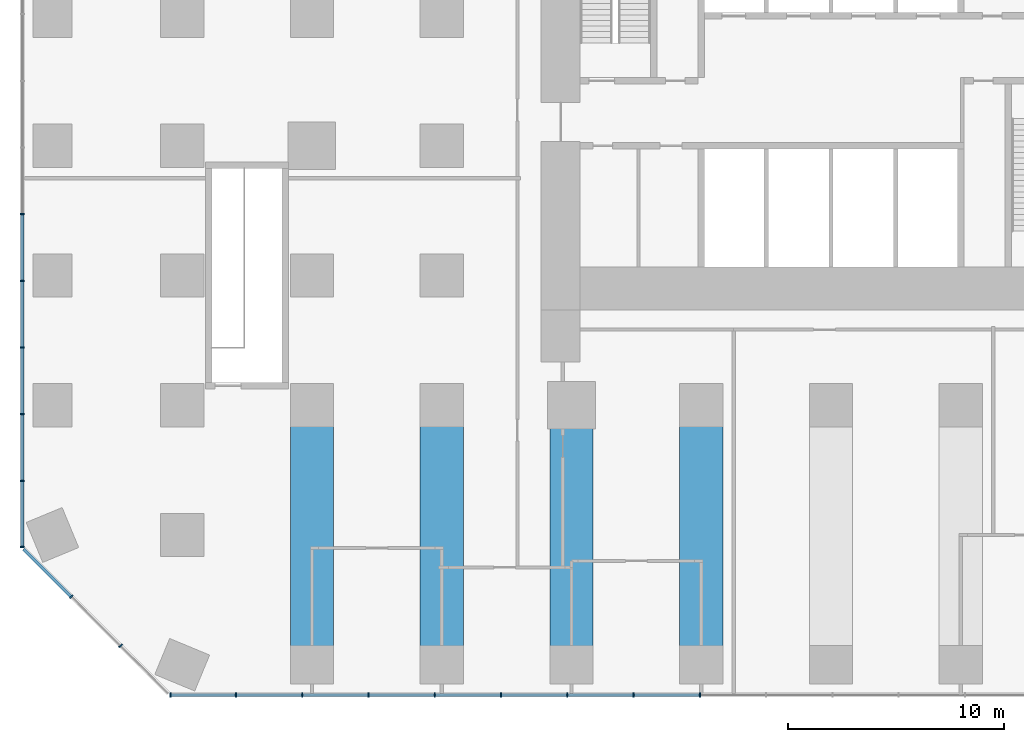
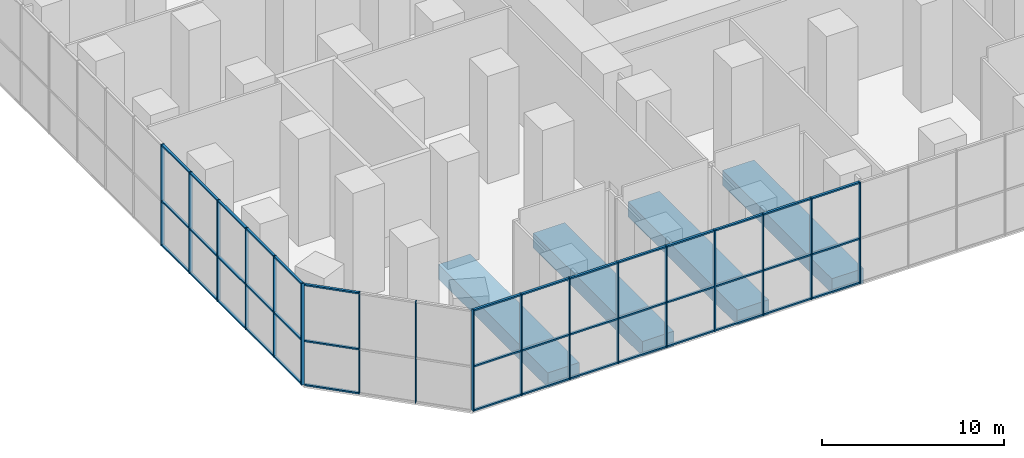
# One storey, part 2 of 16: 59 members, 4 beams, 3 elements without a shape of their own.
"""IFC4 building model written with IfcOpenShell, lengths in metres."""

from ifc_helpers import new_model, si_unit, direction, frame, origin, origin_2d, place, context, subcontext, project, spatial, rectangle, extrude, material, layer, layer_set, material_profile, profile_set, type_object, element, aggregate, save


model = new_model("IFC4")

# Units and contexts
model_context = context("Model", 3, precision=1e-05, world=origin(), true_north=direction((0.0, 1.0)))
body_context = subcontext(model_context, "Body", "Model", "MODEL_VIEW")
ifc_project = project(units=[si_unit("LENGTHUNIT", "METRE"), si_unit("AREAUNIT", "SQUARE_METRE"), si_unit("VOLUMEUNIT", "CUBIC_METRE"), si_unit("PLANEANGLEUNIT", "RADIAN"), si_unit("MASSUNIT", "GRAM", prefix="KILO")], contexts=[model_context])

# Site, building, storey
site_placement = place(None, origin())
site = spatial("IfcSite", under=ifc_project, at=site_placement, CompositionType="ELEMENT")
building_placement = place(site_placement, origin())
building = spatial("IfcBuilding", under=site, at=building_placement, Name="Highveld Stack Headquarters", CompositionType="ELEMENT")
storey_placement = place(building_placement, frame((0.0, 0.0, 11.0)))
storey = spatial("IfcBuildingStorey", under=building, at=storey_placement, Name="L02", CompositionType="ELEMENT", Elevation=11.0)

# Beams
ifc_material_1 = material(Name="Concrete C60/75", Category="concrete")
ifc_material_profile_1 = material_profile(ifc_material_1, rectangle(XDim=2.0, YDim=1.0, at=origin_2d()), Name="RC 2000x1000")
ifc_profile_set_1 = profile_set([ifc_material_profile_1], Name="Concrete C60/75")
beam_type = type_object("IfcBeamType", Name="BAND BEAM RC 2000x1000 C60/75", PredefinedType="BEAM", material=ifc_profile_set_1)
for number, where, z_axis, x_axis, name in (
    (1, (-18.0, -24.0, -0.75), (0.0, 1.0, 0.0), (-1.0, 0.0, 0.0), "Band beam 3/A-3/C L02"),
    (2, (-12.0, -24.0, -0.75), (0.0, 1.0, 0.0), (-1.0, 0.0, 0.0), "Band beam 4/A-4/C L02"),
    (3, (-6.0, -24.0, -0.75), (0.0, 1.0, 0.0), (-1.0, 0.0, 0.0), "Band beam 5/A-5/C L02"),
    (4, (0.0, -24.0, -0.75), (0.0, 1.0, 0.0), (-1.0, 0.0, 0.0), "Band beam 6/A-6/C L02"),
):
    element("IfcBeam", number, at=place(storey_placement, frame(where, z_axis=z_axis, x_axis=x_axis)), inside=storey, type_object=beam_type, Name=name, PredefinedType="BEAM", context=body_context, shape_type="SweptSolid", body=[
        extrude(rectangle(XDim=2.0, YDim=1.0, at=origin_2d()), origin(), (0.0, 0.0, 1.0), 12.0),
    ])

# Curtain wall, members
ifc_material_2 = material(Name="Aluminium bronze anodised", Category="aluminium")
ifc_layer = layer(ifc_material_2, 0.199951171875)
ifc_layer_set = layer_set([ifc_layer], Name="Aluminium bronze anodised")
curtain_wall_type = type_object("IfcCurtainWallType", Name="CW3 PODIUM STICK CURTAIN WALL", PredefinedType="NOTDEFINED", material=ifc_layer_set)
curtain_wall_1_placement = place(storey_placement, origin())
curtain_wall_1 = element("IfcCurtainWall", 5, at=curtain_wall_1_placement, inside=storey, type_object=curtain_wall_type, Name="Curtain wall CW3 L02 S", PredefinedType="NOTDEFINED")
ifc_material_3 = material(Name="Aluminium bronze anodised", Category="aluminium")
ifc_material_profile_2 = material_profile(ifc_material_3, rectangle(XDim=0.199951171875, YDim=0.06494140625, at=origin_2d()), Name="CW3 MULLION 65x200")
ifc_profile_set_2 = profile_set([ifc_material_profile_2], Name="Aluminium bronze anodised")
member_type_1 = type_object("IfcMemberType", Name="CW3 MULLION 65x200", PredefinedType="MULLION", material=ifc_profile_set_2)
member_1_placement = place(storey_placement, frame((-24.54736328125, -25.39990234375, 0.0), z_axis=(0.0, 0.0, 1.0), x_axis=(0.0, 1.0, 0.0)))
member_1 = element("IfcMember", 6, at=member_1_placement, type_object=member_type_1, Name="CW3 mullion L02 1", PredefinedType="MULLION", context=body_context, shape_type="SweptSolid", body=[
    extrude(rectangle(XDim=0.199951171875, YDim=0.06494140625, at=origin_2d()), origin(), (0.0, 0.0, 1.0), 6.800048828125),
])
member_2_placement = place(storey_placement, frame((-21.515380859375, -25.39990234375, 0.0), z_axis=(0.0, 0.0, 1.0), x_axis=(0.0, 1.0, 0.0)))
member_2 = element("IfcMember", 7, at=member_2_placement, type_object=member_type_1, Name="CW3 mullion L02 2", PredefinedType="MULLION", context=body_context, shape_type="SweptSolid", body=[
    extrude(rectangle(XDim=0.199951171875, YDim=0.06494140625, at=origin_2d()), origin(), (0.0, 0.0, 1.0), 6.800048828125),
])
member_3_placement = place(storey_placement, frame((-18.450927734375, -25.39990234375, 0.0), z_axis=(0.0, 0.0, 1.0), x_axis=(0.0, 1.0, 0.0)))
member_3 = element("IfcMember", 8, at=member_3_placement, type_object=member_type_1, Name="CW3 mullion L02 3", PredefinedType="MULLION", context=body_context, shape_type="SweptSolid", body=[
    extrude(rectangle(XDim=0.199951171875, YDim=0.06494140625, at=origin_2d()), origin(), (0.0, 0.0, 1.0), 6.800048828125),
])
member_4_placement = place(storey_placement, frame((-15.38671875, -25.39990234375, 0.0), z_axis=(0.0, 0.0, 1.0), x_axis=(0.0, 1.0, 0.0)))
member_4 = element("IfcMember", 9, at=member_4_placement, type_object=member_type_1, Name="CW3 mullion L02 4", PredefinedType="MULLION", context=body_context, shape_type="SweptSolid", body=[
    extrude(rectangle(XDim=0.199951171875, YDim=0.06494140625, at=origin_2d()), origin(), (0.0, 0.0, 1.0), 6.800048828125),
])
member_5_placement = place(storey_placement, frame((-12.322265625, -25.39990234375, 0.0), z_axis=(0.0, 0.0, 1.0), x_axis=(0.0, 1.0, 0.0)))
member_5 = element("IfcMember", 10, at=member_5_placement, type_object=member_type_1, Name="CW3 mullion L02 5", PredefinedType="MULLION", context=body_context, shape_type="SweptSolid", body=[
    extrude(rectangle(XDim=0.199951171875, YDim=0.06494140625, at=origin_2d()), origin(), (0.0, 0.0, 1.0), 6.800048828125),
])
member_6_placement = place(storey_placement, frame((-9.2578125, -25.39990234375, 0.0), z_axis=(0.0, 0.0, 1.0), x_axis=(0.0, 1.0, 0.0)))
member_6 = element("IfcMember", 11, at=member_6_placement, type_object=member_type_1, Name="CW3 mullion L02 6", PredefinedType="MULLION", context=body_context, shape_type="SweptSolid", body=[
    extrude(rectangle(XDim=0.199951171875, YDim=0.06494140625, at=origin_2d()), origin(), (0.0, 0.0, 1.0), 6.800048828125),
])
member_7_placement = place(storey_placement, frame((-6.193359375, -25.39990234375, 0.0), z_axis=(0.0, 0.0, 1.0), x_axis=(0.0, 1.0, 0.0)))
member_7 = element("IfcMember", 12, at=member_7_placement, type_object=member_type_1, Name="CW3 mullion L02 7", PredefinedType="MULLION", context=body_context, shape_type="SweptSolid", body=[
    extrude(rectangle(XDim=0.199951171875, YDim=0.06494140625, at=origin_2d()), origin(), (0.0, 0.0, 1.0), 6.800048828125),
])
member_8_placement = place(storey_placement, frame((-3.12890625, -25.39990234375, 0.0), z_axis=(0.0, 0.0, 1.0), x_axis=(0.0, 1.0, 0.0)))
member_8 = element("IfcMember", 13, at=member_8_placement, type_object=member_type_1, Name="CW3 mullion L02 8", PredefinedType="MULLION", context=body_context, shape_type="SweptSolid", body=[
    extrude(rectangle(XDim=0.199951171875, YDim=0.06494140625, at=origin_2d()), origin(), (0.0, 0.0, 1.0), 6.800048828125),
])
member_9_placement = place(storey_placement, frame((-0.064453125, -25.39990234375, 0.0), z_axis=(0.0, 0.0, 1.0), x_axis=(0.0, 1.0, 0.0)))
member_9 = element("IfcMember", 14, at=member_9_placement, type_object=member_type_1, Name="CW3 mullion L02 9", PredefinedType="MULLION", context=body_context, shape_type="SweptSolid", body=[
    extrude(rectangle(XDim=0.199951171875, YDim=0.06494140625, at=origin_2d()), origin(), (0.0, 0.0, 1.0), 6.800048828125),
])

curtain_wall_2_placement = place(storey_placement, origin())
curtain_wall_2 = element("IfcCurtainWall", 15, at=curtain_wall_2_placement, inside=storey, type_object=curtain_wall_type, Name="Curtain wall CW3 L02 W", PredefinedType="NOTDEFINED")
member_10_placement = place(storey_placement, frame((-31.39990234375, -3.165771484375, 0.0), z_axis=(0.0, 0.0, 1.0), x_axis=(1.0, 0.0, 0.0)))
member_10 = element("IfcMember", 16, at=member_10_placement, type_object=member_type_1, Name="CW3 mullion L02 10", PredefinedType="MULLION", context=body_context, shape_type="SweptSolid", body=[
    extrude(rectangle(XDim=0.199951171875, YDim=0.06494140625, at=origin_2d()), origin(), (0.0, 0.0, 1.0), 6.800048828125),
])
member_11_placement = place(storey_placement, frame((-31.39990234375, -6.24853515625, 0.0), z_axis=(0.0, 0.0, 1.0), x_axis=(1.0, 0.0, 0.0)))
member_11 = element("IfcMember", 17, at=member_11_placement, type_object=member_type_1, Name="CW3 mullion L02 11", PredefinedType="MULLION", context=body_context, shape_type="SweptSolid", body=[
    extrude(rectangle(XDim=0.199951171875, YDim=0.06494140625, at=origin_2d()), origin(), (0.0, 0.0, 1.0), 6.800048828125),
])
member_12_placement = place(storey_placement, frame((-31.39990234375, -9.331298828125, 0.0), z_axis=(0.0, 0.0, 1.0), x_axis=(1.0, 0.0, 0.0)))
member_12 = element("IfcMember", 18, at=member_12_placement, type_object=member_type_1, Name="CW3 mullion L02 12", PredefinedType="MULLION", context=body_context, shape_type="SweptSolid", body=[
    extrude(rectangle(XDim=0.199951171875, YDim=0.06494140625, at=origin_2d()), origin(), (0.0, 0.0, 1.0), 6.800048828125),
])
member_13_placement = place(storey_placement, frame((-31.39990234375, -12.414306640625, 0.0), z_axis=(0.0, 0.0, 1.0), x_axis=(1.0, 0.0, 0.0)))
member_13 = element("IfcMember", 19, at=member_13_placement, type_object=member_type_1, Name="CW3 mullion L02 13", PredefinedType="MULLION", context=body_context, shape_type="SweptSolid", body=[
    extrude(rectangle(XDim=0.199951171875, YDim=0.06494140625, at=origin_2d()), origin(), (0.0, 0.0, 1.0), 6.800048828125),
])
member_14_placement = place(storey_placement, frame((-31.39990234375, -15.4970703125, 0.0), z_axis=(0.0, 0.0, 1.0), x_axis=(1.0, 0.0, 0.0)))
member_14 = element("IfcMember", 20, at=member_14_placement, type_object=member_type_1, Name="CW3 mullion L02 14", PredefinedType="MULLION", context=body_context, shape_type="SweptSolid", body=[
    extrude(rectangle(XDim=0.199951171875, YDim=0.06494140625, at=origin_2d()), origin(), (0.0, 0.0, 1.0), 6.800048828125),
])
member_15_placement = place(storey_placement, frame((-31.39990234375, -18.54736328125, 0.0), z_axis=(0.0, 0.0, 1.0), x_axis=(1.0, 0.0, 0.0)))
member_15 = element("IfcMember", 21, at=member_15_placement, type_object=member_type_1, Name="CW3 mullion L02 15", PredefinedType="MULLION", context=body_context, shape_type="SweptSolid", body=[
    extrude(rectangle(XDim=0.199951171875, YDim=0.06494140625, at=origin_2d()), origin(), (0.0, 0.0, 1.0), 6.800048828125),
])

curtain_wall_3_placement = place(storey_placement, origin())
curtain_wall_3 = element("IfcCurtainWall", 22, at=curtain_wall_3_placement, inside=storey, type_object=curtain_wall_type, Name="Curtain wall CW3 L02 SW", PredefinedType="NOTDEFINED")
member_16_placement = place(storey_placement, frame((-29.126708984375, -20.853271484375, 0.0), z_axis=(0.0, 0.0, 1.0), x_axis=(0.707106781187, 0.707106781187, 0.0)))
member_16 = element("IfcMember", 23, at=member_16_placement, type_object=member_type_1, Name="CW3 mullion L02 1", PredefinedType="MULLION", context=body_context, shape_type="SweptSolid", body=[
    extrude(rectangle(XDim=0.199951171875, YDim=0.06494140625, at=origin_2d()), origin(), (0.0, 0.0, 1.0), 6.800048828125),
])
member_17_placement = place(storey_placement, frame((-26.853271484375, -23.126708984375, 0.0), z_axis=(0.0, 0.0, 1.0), x_axis=(0.707106781187, 0.707106781187, 0.0)))
member_17 = element("IfcMember", 24, at=member_17_placement, type_object=member_type_1, Name="CW3 mullion L02 2", PredefinedType="MULLION", context=body_context, shape_type="SweptSolid", body=[
    extrude(rectangle(XDim=0.199951171875, YDim=0.06494140625, at=origin_2d()), origin(), (0.0, 0.0, 1.0), 6.800048828125),
])

# Member
ifc_material_4 = material(Name="Aluminium bronze anodised", Category="aluminium")
ifc_material_profile_3 = material_profile(ifc_material_4, rectangle(XDim=0.14990234375, YDim=0.10009765625, at=origin_2d()), Name="CW3 TRANSOM 150x100")
ifc_profile_set_3 = profile_set([ifc_material_profile_3], Name="Aluminium bronze anodised")
member_type_2 = type_object("IfcMemberType", Name="CW3 STACK TRANSOM 150x100", PredefinedType="USERDEFINED", material=ifc_profile_set_3)
member_18_placement = place(storey_placement, frame((-24.514892578125, -25.39990234375, 0.050048828125), z_axis=(1.0, 0.0, 0.0), x_axis=(0.0, 1.0, 0.0)))
member_18 = element("IfcMember", 25, at=member_18_placement, type_object=member_type_2, Name="CW3 transom L02 1.1", ObjectType="TRANSOM", PredefinedType="USERDEFINED", context=body_context, shape_type="SweptSolid", body=[
    extrude(rectangle(XDim=0.14990234375, YDim=0.10009765625, at=origin_2d()), origin(), (0.0, 0.0, 1.0), 2.966796875),
])

member_19_placement = place(storey_placement, frame((-24.514892578125, -25.39990234375, 3.0), z_axis=(1.0, 0.0, 0.0), x_axis=(0.0, 1.0, 0.0)))
member_19 = element("IfcMember", 26, at=member_19_placement, type_object=member_type_2, Name="CW3 transom L02 1.2", ObjectType="TRANSOM", PredefinedType="USERDEFINED", context=body_context, shape_type="SweptSolid", body=[
    extrude(rectangle(XDim=0.14990234375, YDim=0.10009765625, at=origin_2d()), origin(), (0.0, 0.0, 1.0), 2.966796875),
])

member_20_placement = place(storey_placement, frame((-24.514892578125, -25.39990234375, 6.75), z_axis=(1.0, 0.0, 0.0), x_axis=(0.0, 1.0, 0.0)))
member_20 = element("IfcMember", 27, at=member_20_placement, type_object=member_type_2, Name="CW3 transom L02 1.3", ObjectType="TRANSOM", PredefinedType="USERDEFINED", context=body_context, shape_type="SweptSolid", body=[
    extrude(rectangle(XDim=0.14990234375, YDim=0.10009765625, at=origin_2d()), origin(), (0.0, 0.0, 1.0), 2.966796875),
])

member_21_placement = place(storey_placement, frame((-21.48291015625, -25.39990234375, 0.050048828125), z_axis=(1.0, 0.0, 0.0), x_axis=(0.0, 1.0, 0.0)))
member_21 = element("IfcMember", 28, at=member_21_placement, type_object=member_type_2, Name="CW3 transom L02 2.1", ObjectType="TRANSOM", PredefinedType="USERDEFINED", context=body_context, shape_type="SweptSolid", body=[
    extrude(rectangle(XDim=0.14990234375, YDim=0.10009765625, at=origin_2d()), origin(), (0.0, 0.0, 1.0), 2.99951171875),
])

member_22_placement = place(storey_placement, frame((-21.48291015625, -25.39990234375, 3.0), z_axis=(1.0, 0.0, 0.0), x_axis=(0.0, 1.0, 0.0)))
member_22 = element("IfcMember", 29, at=member_22_placement, type_object=member_type_2, Name="CW3 transom L02 2.2", ObjectType="TRANSOM", PredefinedType="USERDEFINED", context=body_context, shape_type="SweptSolid", body=[
    extrude(rectangle(XDim=0.14990234375, YDim=0.10009765625, at=origin_2d()), origin(), (0.0, 0.0, 1.0), 2.99951171875),
])

member_23_placement = place(storey_placement, frame((-21.48291015625, -25.39990234375, 6.75), z_axis=(1.0, 0.0, 0.0), x_axis=(0.0, 1.0, 0.0)))
member_23 = element("IfcMember", 30, at=member_23_placement, type_object=member_type_2, Name="CW3 transom L02 2.3", ObjectType="TRANSOM", PredefinedType="USERDEFINED", context=body_context, shape_type="SweptSolid", body=[
    extrude(rectangle(XDim=0.14990234375, YDim=0.10009765625, at=origin_2d()), origin(), (0.0, 0.0, 1.0), 2.99951171875),
])

member_24_placement = place(storey_placement, frame((-18.41845703125, -25.39990234375, 0.050048828125), z_axis=(1.0, 0.0, 0.0), x_axis=(0.0, 1.0, 0.0)))
member_24 = element("IfcMember", 31, at=member_24_placement, type_object=member_type_2, Name="CW3 transom L02 3.1", ObjectType="TRANSOM", PredefinedType="USERDEFINED", context=body_context, shape_type="SweptSolid", body=[
    extrude(rectangle(XDim=0.14990234375, YDim=0.10009765625, at=origin_2d()), origin(), (0.0, 0.0, 1.0), 2.999267578125),
])

member_25_placement = place(storey_placement, frame((-18.41845703125, -25.39990234375, 3.0), z_axis=(1.0, 0.0, 0.0), x_axis=(0.0, 1.0, 0.0)))
member_25 = element("IfcMember", 32, at=member_25_placement, type_object=member_type_2, Name="CW3 transom L02 3.2", ObjectType="TRANSOM", PredefinedType="USERDEFINED", context=body_context, shape_type="SweptSolid", body=[
    extrude(rectangle(XDim=0.14990234375, YDim=0.10009765625, at=origin_2d()), origin(), (0.0, 0.0, 1.0), 2.999267578125),
])

member_26_placement = place(storey_placement, frame((-18.41845703125, -25.39990234375, 6.75), z_axis=(1.0, 0.0, 0.0), x_axis=(0.0, 1.0, 0.0)))
member_26 = element("IfcMember", 33, at=member_26_placement, type_object=member_type_2, Name="CW3 transom L02 3.3", ObjectType="TRANSOM", PredefinedType="USERDEFINED", context=body_context, shape_type="SweptSolid", body=[
    extrude(rectangle(XDim=0.14990234375, YDim=0.10009765625, at=origin_2d()), origin(), (0.0, 0.0, 1.0), 2.999267578125),
])

member_27_placement = place(storey_placement, frame((-15.35400390625, -25.39990234375, 0.050048828125), z_axis=(1.0, 0.0, 0.0), x_axis=(0.0, 1.0, 0.0)))
member_27 = element("IfcMember", 34, at=member_27_placement, type_object=member_type_2, Name="CW3 transom L02 4.1", ObjectType="TRANSOM", PredefinedType="USERDEFINED", context=body_context, shape_type="SweptSolid", body=[
    extrude(rectangle(XDim=0.14990234375, YDim=0.10009765625, at=origin_2d()), origin(), (0.0, 0.0, 1.0), 2.999267578125),
])

member_28_placement = place(storey_placement, frame((-15.35400390625, -25.39990234375, 3.0), z_axis=(1.0, 0.0, 0.0), x_axis=(0.0, 1.0, 0.0)))
member_28 = element("IfcMember", 35, at=member_28_placement, type_object=member_type_2, Name="CW3 transom L02 4.2", ObjectType="TRANSOM", PredefinedType="USERDEFINED", context=body_context, shape_type="SweptSolid", body=[
    extrude(rectangle(XDim=0.14990234375, YDim=0.10009765625, at=origin_2d()), origin(), (0.0, 0.0, 1.0), 2.999267578125),
])

member_29_placement = place(storey_placement, frame((-15.35400390625, -25.39990234375, 6.75), z_axis=(1.0, 0.0, 0.0), x_axis=(0.0, 1.0, 0.0)))
member_29 = element("IfcMember", 36, at=member_29_placement, type_object=member_type_2, Name="CW3 transom L02 4.3", ObjectType="TRANSOM", PredefinedType="USERDEFINED", context=body_context, shape_type="SweptSolid", body=[
    extrude(rectangle(XDim=0.14990234375, YDim=0.10009765625, at=origin_2d()), origin(), (0.0, 0.0, 1.0), 2.999267578125),
])

member_30_placement = place(storey_placement, frame((-12.289794921875, -25.39990234375, 0.050048828125), z_axis=(1.0, 0.0, 0.0), x_axis=(0.0, 1.0, 0.0)))
member_30 = element("IfcMember", 37, at=member_30_placement, type_object=member_type_2, Name="CW3 transom L02 5.1", ObjectType="TRANSOM", PredefinedType="USERDEFINED", context=body_context, shape_type="SweptSolid", body=[
    extrude(rectangle(XDim=0.14990234375, YDim=0.10009765625, at=origin_2d()), origin(), (0.0, 0.0, 1.0), 2.99951171875),
])

member_31_placement = place(storey_placement, frame((-12.289794921875, -25.39990234375, 3.0), z_axis=(1.0, 0.0, 0.0), x_axis=(0.0, 1.0, 0.0)))
member_31 = element("IfcMember", 38, at=member_31_placement, type_object=member_type_2, Name="CW3 transom L02 5.2", ObjectType="TRANSOM", PredefinedType="USERDEFINED", context=body_context, shape_type="SweptSolid", body=[
    extrude(rectangle(XDim=0.14990234375, YDim=0.10009765625, at=origin_2d()), origin(), (0.0, 0.0, 1.0), 2.99951171875),
])

member_32_placement = place(storey_placement, frame((-12.289794921875, -25.39990234375, 6.75), z_axis=(1.0, 0.0, 0.0), x_axis=(0.0, 1.0, 0.0)))
member_32 = element("IfcMember", 39, at=member_32_placement, type_object=member_type_2, Name="CW3 transom L02 5.3", ObjectType="TRANSOM", PredefinedType="USERDEFINED", context=body_context, shape_type="SweptSolid", body=[
    extrude(rectangle(XDim=0.14990234375, YDim=0.10009765625, at=origin_2d()), origin(), (0.0, 0.0, 1.0), 2.99951171875),
])

member_33_placement = place(storey_placement, frame((-9.22509765625, -25.39990234375, 0.050048828125), z_axis=(1.0, 0.0, 0.0), x_axis=(0.0, 1.0, 0.0)))
member_33 = element("IfcMember", 40, at=member_33_placement, type_object=member_type_2, Name="CW3 transom L02 6.1", ObjectType="TRANSOM", PredefinedType="USERDEFINED", context=body_context, shape_type="SweptSolid", body=[
    extrude(rectangle(XDim=0.14990234375, YDim=0.10009765625, at=origin_2d()), origin(), (0.0, 0.0, 1.0), 2.999267578125),
])

member_34_placement = place(storey_placement, frame((-9.22509765625, -25.39990234375, 3.0), z_axis=(1.0, 0.0, 0.0), x_axis=(0.0, 1.0, 0.0)))
member_34 = element("IfcMember", 41, at=member_34_placement, type_object=member_type_2, Name="CW3 transom L02 6.2", ObjectType="TRANSOM", PredefinedType="USERDEFINED", context=body_context, shape_type="SweptSolid", body=[
    extrude(rectangle(XDim=0.14990234375, YDim=0.10009765625, at=origin_2d()), origin(), (0.0, 0.0, 1.0), 2.999267578125),
])

member_35_placement = place(storey_placement, frame((-9.22509765625, -25.39990234375, 6.75), z_axis=(1.0, 0.0, 0.0), x_axis=(0.0, 1.0, 0.0)))
member_35 = element("IfcMember", 42, at=member_35_placement, type_object=member_type_2, Name="CW3 transom L02 6.3", ObjectType="TRANSOM", PredefinedType="USERDEFINED", context=body_context, shape_type="SweptSolid", body=[
    extrude(rectangle(XDim=0.14990234375, YDim=0.10009765625, at=origin_2d()), origin(), (0.0, 0.0, 1.0), 2.999267578125),
])

member_36_placement = place(storey_placement, frame((-6.160888671875, -25.39990234375, 0.050048828125), z_axis=(1.0, 0.0, 0.0), x_axis=(0.0, 1.0, 0.0)))
member_36 = element("IfcMember", 43, at=member_36_placement, type_object=member_type_2, Name="CW3 transom L02 7.1", ObjectType="TRANSOM", PredefinedType="USERDEFINED", context=body_context, shape_type="SweptSolid", body=[
    extrude(rectangle(XDim=0.14990234375, YDim=0.10009765625, at=origin_2d()), origin(), (0.0, 0.0, 1.0), 2.99951171875),
])

member_37_placement = place(storey_placement, frame((-6.160888671875, -25.39990234375, 3.0), z_axis=(1.0, 0.0, 0.0), x_axis=(0.0, 1.0, 0.0)))
member_37 = element("IfcMember", 44, at=member_37_placement, type_object=member_type_2, Name="CW3 transom L02 7.2", ObjectType="TRANSOM", PredefinedType="USERDEFINED", context=body_context, shape_type="SweptSolid", body=[
    extrude(rectangle(XDim=0.14990234375, YDim=0.10009765625, at=origin_2d()), origin(), (0.0, 0.0, 1.0), 2.99951171875),
])

member_38_placement = place(storey_placement, frame((-6.160888671875, -25.39990234375, 6.75), z_axis=(1.0, 0.0, 0.0), x_axis=(0.0, 1.0, 0.0)))
member_38 = element("IfcMember", 45, at=member_38_placement, type_object=member_type_2, Name="CW3 transom L02 7.3", ObjectType="TRANSOM", PredefinedType="USERDEFINED", context=body_context, shape_type="SweptSolid", body=[
    extrude(rectangle(XDim=0.14990234375, YDim=0.10009765625, at=origin_2d()), origin(), (0.0, 0.0, 1.0), 2.99951171875),
])

member_39_placement = place(storey_placement, frame((-3.096435546875, -25.39990234375, 0.050048828125), z_axis=(1.0, 0.0, 0.0), x_axis=(0.0, 1.0, 0.0)))
member_39 = element("IfcMember", 46, at=member_39_placement, type_object=member_type_2, Name="CW3 transom L02 8.1", ObjectType="TRANSOM", PredefinedType="USERDEFINED", context=body_context, shape_type="SweptSolid", body=[
    extrude(rectangle(XDim=0.14990234375, YDim=0.10009765625, at=origin_2d()), origin(), (0.0, 0.0, 1.0), 2.99951171875),
])

member_40_placement = place(storey_placement, frame((-3.096435546875, -25.39990234375, 3.0), z_axis=(1.0, 0.0, 0.0), x_axis=(0.0, 1.0, 0.0)))
member_40 = element("IfcMember", 47, at=member_40_placement, type_object=member_type_2, Name="CW3 transom L02 8.2", ObjectType="TRANSOM", PredefinedType="USERDEFINED", context=body_context, shape_type="SweptSolid", body=[
    extrude(rectangle(XDim=0.14990234375, YDim=0.10009765625, at=origin_2d()), origin(), (0.0, 0.0, 1.0), 2.99951171875),
])

member_41_placement = place(storey_placement, frame((-3.096435546875, -25.39990234375, 6.75), z_axis=(1.0, 0.0, 0.0), x_axis=(0.0, 1.0, 0.0)))
member_41 = element("IfcMember", 48, at=member_41_placement, type_object=member_type_2, Name="CW3 transom L02 8.3", ObjectType="TRANSOM", PredefinedType="USERDEFINED", context=body_context, shape_type="SweptSolid", body=[
    extrude(rectangle(XDim=0.14990234375, YDim=0.10009765625, at=origin_2d()), origin(), (0.0, 0.0, 1.0), 2.99951171875),
])

aggregate(curtain_wall_1, [member_1, member_2, member_3, member_4, member_5, member_6, member_7, member_8, member_9, member_18, member_19, member_20, member_21, member_22, member_23, member_24, member_25, member_26, member_27, member_28, member_29, member_30, member_31, member_32, member_33, member_34, member_35, member_36, member_37, member_38, member_39, member_40, member_41])

member_42_placement = place(storey_placement, frame((-31.39990234375, -3.1982421875, 0.050048828125), z_axis=(0.0, -1.0, 0.0), x_axis=(1.0, 0.0, 0.0)))
member_42 = element("IfcMember", 49, at=member_42_placement, type_object=member_type_2, Name="CW3 transom L02 10.1", ObjectType="TRANSOM", PredefinedType="USERDEFINED", context=body_context, shape_type="SweptSolid", body=[
    extrude(rectangle(XDim=0.14990234375, YDim=0.10009765625, at=origin_2d()), origin(), (0.0, 0.0, 1.0), 3.017822265625),
])

member_43_placement = place(storey_placement, frame((-31.39990234375, -3.1982421875, 3.0), z_axis=(0.0, -1.0, 0.0), x_axis=(1.0, 0.0, 0.0)))
member_43 = element("IfcMember", 50, at=member_43_placement, type_object=member_type_2, Name="CW3 transom L02 10.2", ObjectType="TRANSOM", PredefinedType="USERDEFINED", context=body_context, shape_type="SweptSolid", body=[
    extrude(rectangle(XDim=0.14990234375, YDim=0.10009765625, at=origin_2d()), origin(), (0.0, 0.0, 1.0), 3.017822265625),
])

member_44_placement = place(storey_placement, frame((-31.39990234375, -3.1982421875, 6.75), z_axis=(0.0, -1.0, 0.0), x_axis=(1.0, 0.0, 0.0)))
member_44 = element("IfcMember", 51, at=member_44_placement, type_object=member_type_2, Name="CW3 transom L02 10.3", ObjectType="TRANSOM", PredefinedType="USERDEFINED", context=body_context, shape_type="SweptSolid", body=[
    extrude(rectangle(XDim=0.14990234375, YDim=0.10009765625, at=origin_2d()), origin(), (0.0, 0.0, 1.0), 3.017822265625),
])

member_45_placement = place(storey_placement, frame((-31.39990234375, -6.281005859375, 0.050048828125), z_axis=(0.0, -1.0, 0.0), x_axis=(1.0, 0.0, 0.0)))
member_45 = element("IfcMember", 52, at=member_45_placement, type_object=member_type_2, Name="CW3 transom L02 11.1", ObjectType="TRANSOM", PredefinedType="USERDEFINED", context=body_context, shape_type="SweptSolid", body=[
    extrude(rectangle(XDim=0.14990234375, YDim=0.10009765625, at=origin_2d()), origin(), (0.0, 0.0, 1.0), 3.017822265625),
])

member_46_placement = place(storey_placement, frame((-31.39990234375, -6.281005859375, 3.0), z_axis=(0.0, -1.0, 0.0), x_axis=(1.0, 0.0, 0.0)))
member_46 = element("IfcMember", 53, at=member_46_placement, type_object=member_type_2, Name="CW3 transom L02 11.2", ObjectType="TRANSOM", PredefinedType="USERDEFINED", context=body_context, shape_type="SweptSolid", body=[
    extrude(rectangle(XDim=0.14990234375, YDim=0.10009765625, at=origin_2d()), origin(), (0.0, 0.0, 1.0), 3.017822265625),
])

member_47_placement = place(storey_placement, frame((-31.39990234375, -6.281005859375, 6.75), z_axis=(0.0, -1.0, 0.0), x_axis=(1.0, 0.0, 0.0)))
member_47 = element("IfcMember", 54, at=member_47_placement, type_object=member_type_2, Name="CW3 transom L02 11.3", ObjectType="TRANSOM", PredefinedType="USERDEFINED", context=body_context, shape_type="SweptSolid", body=[
    extrude(rectangle(XDim=0.14990234375, YDim=0.10009765625, at=origin_2d()), origin(), (0.0, 0.0, 1.0), 3.017822265625),
])

member_48_placement = place(storey_placement, frame((-31.39990234375, -9.364013671875, 0.050048828125), z_axis=(0.0, -1.0, 0.0), x_axis=(1.0, 0.0, 0.0)))
member_48 = element("IfcMember", 55, at=member_48_placement, type_object=member_type_2, Name="CW3 transom L02 12.1", ObjectType="TRANSOM", PredefinedType="USERDEFINED", context=body_context, shape_type="SweptSolid", body=[
    extrude(rectangle(XDim=0.14990234375, YDim=0.10009765625, at=origin_2d()), origin(), (0.0, 0.0, 1.0), 3.017578125),
])

member_49_placement = place(storey_placement, frame((-31.39990234375, -9.364013671875, 3.0), z_axis=(0.0, -1.0, 0.0), x_axis=(1.0, 0.0, 0.0)))
member_49 = element("IfcMember", 56, at=member_49_placement, type_object=member_type_2, Name="CW3 transom L02 12.2", ObjectType="TRANSOM", PredefinedType="USERDEFINED", context=body_context, shape_type="SweptSolid", body=[
    extrude(rectangle(XDim=0.14990234375, YDim=0.10009765625, at=origin_2d()), origin(), (0.0, 0.0, 1.0), 3.017578125),
])

member_50_placement = place(storey_placement, frame((-31.39990234375, -9.364013671875, 6.75), z_axis=(0.0, -1.0, 0.0), x_axis=(1.0, 0.0, 0.0)))
member_50 = element("IfcMember", 57, at=member_50_placement, type_object=member_type_2, Name="CW3 transom L02 12.3", ObjectType="TRANSOM", PredefinedType="USERDEFINED", context=body_context, shape_type="SweptSolid", body=[
    extrude(rectangle(XDim=0.14990234375, YDim=0.10009765625, at=origin_2d()), origin(), (0.0, 0.0, 1.0), 3.017578125),
])

member_51_placement = place(storey_placement, frame((-31.39990234375, -12.44677734375, 0.050048828125), z_axis=(0.0, -1.0, 0.0), x_axis=(1.0, 0.0, 0.0)))
member_51 = element("IfcMember", 58, at=member_51_placement, type_object=member_type_2, Name="CW3 transom L02 13.1", ObjectType="TRANSOM", PredefinedType="USERDEFINED", context=body_context, shape_type="SweptSolid", body=[
    extrude(rectangle(XDim=0.14990234375, YDim=0.10009765625, at=origin_2d()), origin(), (0.0, 0.0, 1.0), 3.017822265625),
])

member_52_placement = place(storey_placement, frame((-31.39990234375, -12.44677734375, 3.0), z_axis=(0.0, -1.0, 0.0), x_axis=(1.0, 0.0, 0.0)))
member_52 = element("IfcMember", 59, at=member_52_placement, type_object=member_type_2, Name="CW3 transom L02 13.2", ObjectType="TRANSOM", PredefinedType="USERDEFINED", context=body_context, shape_type="SweptSolid", body=[
    extrude(rectangle(XDim=0.14990234375, YDim=0.10009765625, at=origin_2d()), origin(), (0.0, 0.0, 1.0), 3.017822265625),
])

member_53_placement = place(storey_placement, frame((-31.39990234375, -12.44677734375, 6.75), z_axis=(0.0, -1.0, 0.0), x_axis=(1.0, 0.0, 0.0)))
member_53 = element("IfcMember", 60, at=member_53_placement, type_object=member_type_2, Name="CW3 transom L02 13.3", ObjectType="TRANSOM", PredefinedType="USERDEFINED", context=body_context, shape_type="SweptSolid", body=[
    extrude(rectangle(XDim=0.14990234375, YDim=0.10009765625, at=origin_2d()), origin(), (0.0, 0.0, 1.0), 3.017822265625),
])

member_54_placement = place(storey_placement, frame((-31.39990234375, -15.529541015625, 0.050048828125), z_axis=(0.0, -1.0, 0.0), x_axis=(1.0, 0.0, 0.0)))
member_54 = element("IfcMember", 61, at=member_54_placement, type_object=member_type_2, Name="CW3 transom L02 14.1", ObjectType="TRANSOM", PredefinedType="USERDEFINED", context=body_context, shape_type="SweptSolid", body=[
    extrude(rectangle(XDim=0.14990234375, YDim=0.10009765625, at=origin_2d()), origin(), (0.0, 0.0, 1.0), 2.9853515625),
])

member_55_placement = place(storey_placement, frame((-31.39990234375, -15.529541015625, 3.0), z_axis=(0.0, -1.0, 0.0), x_axis=(1.0, 0.0, 0.0)))
member_55 = element("IfcMember", 62, at=member_55_placement, type_object=member_type_2, Name="CW3 transom L02 14.2", ObjectType="TRANSOM", PredefinedType="USERDEFINED", context=body_context, shape_type="SweptSolid", body=[
    extrude(rectangle(XDim=0.14990234375, YDim=0.10009765625, at=origin_2d()), origin(), (0.0, 0.0, 1.0), 2.9853515625),
])

member_56_placement = place(storey_placement, frame((-31.39990234375, -15.529541015625, 6.75), z_axis=(0.0, -1.0, 0.0), x_axis=(1.0, 0.0, 0.0)))
member_56 = element("IfcMember", 63, at=member_56_placement, type_object=member_type_2, Name="CW3 transom L02 14.3", ObjectType="TRANSOM", PredefinedType="USERDEFINED", context=body_context, shape_type="SweptSolid", body=[
    extrude(rectangle(XDim=0.14990234375, YDim=0.10009765625, at=origin_2d()), origin(), (0.0, 0.0, 1.0), 2.9853515625),
])

aggregate(curtain_wall_2, [member_10, member_11, member_12, member_13, member_14, member_15, member_42, member_43, member_44, member_45, member_46, member_47, member_48, member_49, member_50, member_51, member_52, member_53, member_54, member_55, member_56])

member_57_placement = place(storey_placement, frame((-31.329345703125, -18.650634765625, 0.050048828125), z_axis=(0.707106781187, -0.707106781187, 0.0), x_axis=(0.707106781187, 0.707106781187, 0.0)))
member_57 = element("IfcMember", 64, at=member_57_placement, type_object=member_type_2, Name="CW3 transom L02 1.1", ObjectType="TRANSOM", PredefinedType="USERDEFINED", context=body_context, shape_type="SweptSolid", body=[
    extrude(rectangle(XDim=0.14990234375, YDim=0.10009765625, at=origin_2d()), origin(), (0.0, 0.0, 1.0), 3.08251953125),
])

member_58_placement = place(storey_placement, frame((-31.329345703125, -18.650634765625, 3.0), z_axis=(0.707106781187, -0.707106781187, 0.0), x_axis=(0.707106781187, 0.707106781187, 0.0)))
member_58 = element("IfcMember", 65, at=member_58_placement, type_object=member_type_2, Name="CW3 transom L02 1.2", ObjectType="TRANSOM", PredefinedType="USERDEFINED", context=body_context, shape_type="SweptSolid", body=[
    extrude(rectangle(XDim=0.14990234375, YDim=0.10009765625, at=origin_2d()), origin(), (0.0, 0.0, 1.0), 3.08251953125),
])

member_59_placement = place(storey_placement, frame((-31.329345703125, -18.650634765625, 6.75), z_axis=(0.707106781187, -0.707106781187, 0.0), x_axis=(0.707106781187, 0.707106781187, 0.0)))
member_59 = element("IfcMember", 66, at=member_59_placement, type_object=member_type_2, Name="CW3 transom L02 1.3", ObjectType="TRANSOM", PredefinedType="USERDEFINED", context=body_context, shape_type="SweptSolid", body=[
    extrude(rectangle(XDim=0.14990234375, YDim=0.10009765625, at=origin_2d()), origin(), (0.0, 0.0, 1.0), 3.08251953125),
])

aggregate(curtain_wall_3, [member_16, member_17, member_57, member_58, member_59])

save(model, "model.ifc")
